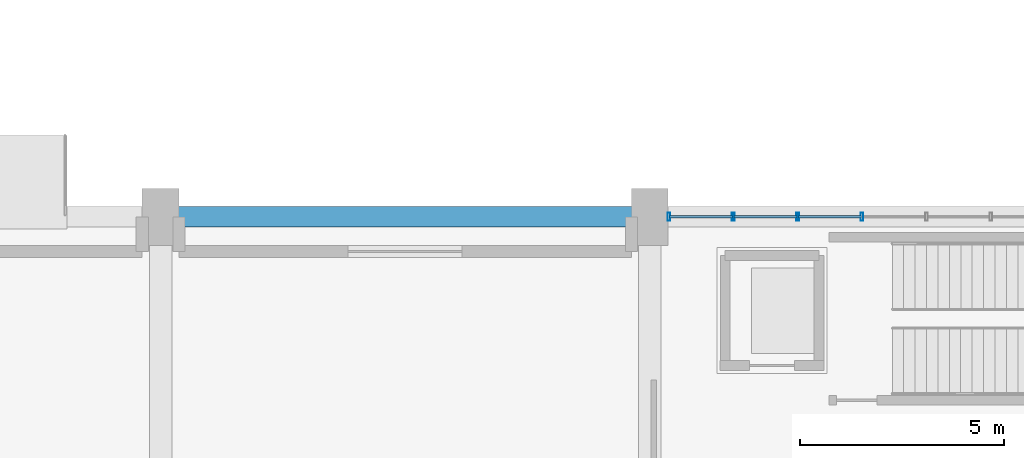
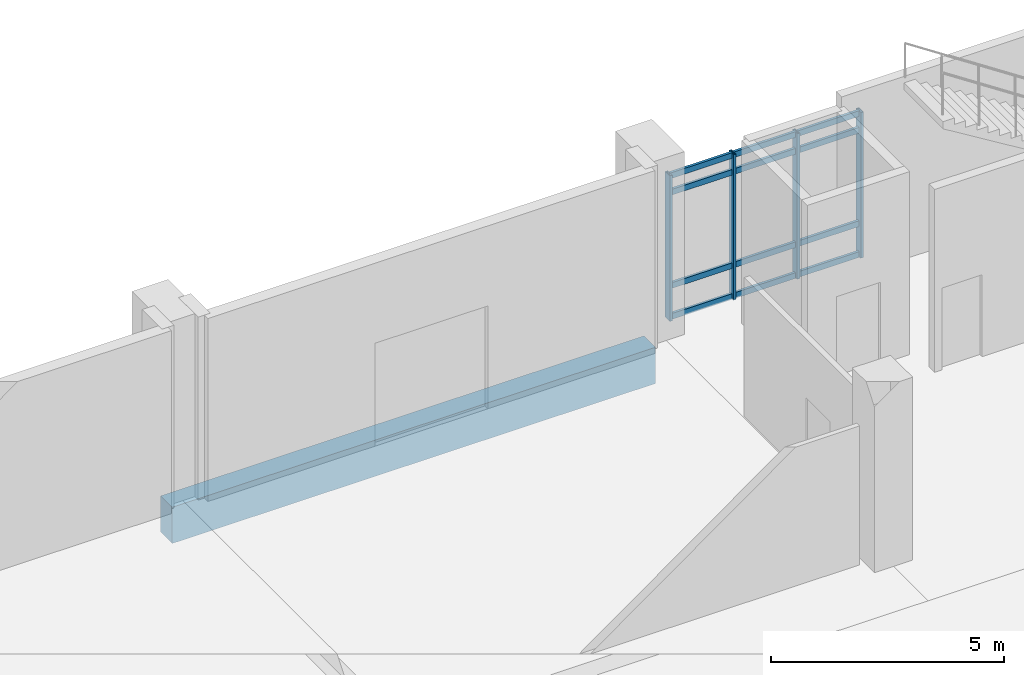
# One storey, part 27 of 87: 16 members, 1 beam, 1 element without a shape of its own.
"""IFC4 building model written with IfcOpenShell, lengths in metres."""

from ifc_helpers import new_model, si_unit, direction, frame, origin, origin_2d, place, context, subcontext, project, spatial, rectangle, hollow_rectangle, extrude, material, layer, layer_set, material_profile, profile_set, type_object, element, aggregate, save


model = new_model("IFC4")

# Units and contexts
model_context = context("Model", 3, precision=1e-05, world=origin(), true_north=direction((0.0, 1.0)))
body_context = subcontext(model_context, "Body", "Model", "MODEL_VIEW")
ifc_project = project(units=[si_unit("LENGTHUNIT", "METRE"), si_unit("AREAUNIT", "SQUARE_METRE"), si_unit("VOLUMEUNIT", "CUBIC_METRE"), si_unit("PLANEANGLEUNIT", "RADIAN"), si_unit("MASSUNIT", "GRAM", prefix="KILO")], contexts=[model_context])

# Site, building, storey
site_placement = place(None, origin())
site = spatial("IfcSite", under=ifc_project, at=site_placement, CompositionType="ELEMENT")
building_placement = place(site_placement, origin())
building = spatial("IfcBuilding", under=site, at=building_placement, Name="Mersad Railyard Sports Hall", CompositionType="ELEMENT")
storey_placement = place(building_placement, origin())
storey = spatial("IfcBuildingStorey", under=building, at=storey_placement, Name="L00", CompositionType="ELEMENT", Elevation=0.0)

# Curtain wall, members
ifc_material_1 = material(Name="Aluminium 6063-T6", Category="aluminium")
ifc_layer = layer(ifc_material_1, 0.199951171875)
ifc_layer_set = layer_set([ifc_layer], Name="Aluminium 6063-T6")
curtain_wall_type = type_object("IfcCurtainWallType", Name="ARC-CW-CW01", PredefinedType="USERDEFINED", material=ifc_layer_set)
curtain_wall_placement = place(storey_placement, origin())
curtain_wall = element("IfcCurtainWall", 1, at=curtain_wall_placement, inside=storey, type_object=curtain_wall_type, Name="Curtain wall CW01-0021", ObjectType="CURTAIN WALL", PredefinedType="USERDEFINED")
ifc_material_profile_1 = material_profile(ifc_material_1, hollow_rectangle(XDim=0.06494140625, YDim=0.199951171875, WallThickness=0.0048828125, at=origin_2d()), Name="AL MULLION 65x200x5")
ifc_profile_set_1 = profile_set([ifc_material_profile_1], Name="Aluminium 6063-T6")
member_type_1 = type_object("IfcMemberType", Name="ARC-CW-MUL02", PredefinedType="MULLION", material=ifc_profile_set_1)
member_1_placement = place(storey_placement, frame((79.469970703125, 53.5, -0.02001953125), z_axis=(0.0, 0.0, 1.0), x_axis=(1.0, 0.0, 0.0)))
member_1 = element("IfcMember", 2, at=member_1_placement, type_object=member_type_1, Name="CW01 Mullion 1", PredefinedType="MULLION", context=body_context, shape_type="SweptSolid", body=[
    extrude(hollow_rectangle(XDim=0.06494140625, YDim=0.199951171875, WallThickness=0.0048828125, at=origin_2d()), origin(), (0.0, 0.0, 1.0), 3.820068359375),
])
member_2_placement = place(storey_placement, frame((81.050048828125, 53.5, -0.02001953125), z_axis=(0.0, 0.0, 1.0), x_axis=(1.0, 0.0, 0.0)))
member_2 = element("IfcMember", 3, at=member_2_placement, type_object=member_type_1, Name="CW01 Mullion 2", PredefinedType="MULLION", context=body_context, shape_type="SweptSolid", body=[
    extrude(hollow_rectangle(XDim=0.06494140625, YDim=0.199951171875, WallThickness=0.0048828125, at=origin_2d()), origin(), (0.0, 0.0, 1.0), 3.820068359375),
])
member_3_placement = place(storey_placement, frame((82.6298828125, 53.5, -0.02001953125), z_axis=(0.0, 0.0, 1.0), x_axis=(1.0, 0.0, 0.0)))
member_3 = element("IfcMember", 4, at=member_3_placement, type_object=member_type_1, Name="CW01 Mullion 3", PredefinedType="MULLION", context=body_context, shape_type="SweptSolid", body=[
    extrude(hollow_rectangle(XDim=0.06494140625, YDim=0.199951171875, WallThickness=0.0048828125, at=origin_2d()), origin(), (0.0, 0.0, 1.0), 3.820068359375),
])
member_4_placement = place(storey_placement, frame((84.2099609375, 53.5, -0.02001953125), z_axis=(0.0, 0.0, 1.0), x_axis=(1.0, 0.0, 0.0)))
member_4 = element("IfcMember", 5, at=member_4_placement, type_object=member_type_1, Name="CW01 Mullion 4", PredefinedType="MULLION", context=body_context, shape_type="SweptSolid", body=[
    extrude(hollow_rectangle(XDim=0.06494140625, YDim=0.199951171875, WallThickness=0.0048828125, at=origin_2d()), origin(), (0.0, 0.0, 1.0), 3.820068359375),
])
ifc_material_profile_2 = material_profile(ifc_material_1, hollow_rectangle(XDim=0.06494140625, YDim=0.14990234375, WallThickness=0.00439453125, at=origin_2d()), Name="AL TRANSOM 65x150x4.5")
ifc_profile_set_2 = profile_set([ifc_material_profile_2], Name="Aluminium 6063-T6")
member_type_2 = type_object("IfcMemberType", Name="ARC-CW-TRN02", PredefinedType="USERDEFINED", material=ifc_profile_set_2)
member_5_placement = place(storey_placement, frame((79.489990234375, 53.5, 0.0400390625), z_axis=(1.0, 0.0, 0.0), x_axis=(0.0, 1.0, 0.0)))
member_5 = element("IfcMember", 6, at=member_5_placement, type_object=member_type_2, Name="CW01 Transom 1-1", ObjectType="TRANSOM", PredefinedType="USERDEFINED", context=body_context, shape_type="SweptSolid", body=[
    extrude(hollow_rectangle(XDim=0.06494140625, YDim=0.14990234375, WallThickness=0.00439453125, at=origin_2d()), origin(), (0.0, 0.0, 1.0), 1.5400390625),
])
member_6_placement = place(storey_placement, frame((81.070068359375, 53.5, 0.0400390625), z_axis=(1.0, 0.0, 0.0), x_axis=(0.0, 1.0, 0.0)))
member_6 = element("IfcMember", 7, at=member_6_placement, type_object=member_type_2, Name="CW01 Transom 1-2", ObjectType="TRANSOM", PredefinedType="USERDEFINED", context=body_context, shape_type="SweptSolid", body=[
    extrude(hollow_rectangle(XDim=0.06494140625, YDim=0.14990234375, WallThickness=0.00439453125, at=origin_2d()), origin(), (0.0, 0.0, 1.0), 1.5400390625),
])
member_7_placement = place(storey_placement, frame((82.64990234375, 53.5, 0.0400390625), z_axis=(1.0, 0.0, 0.0), x_axis=(0.0, 1.0, 0.0)))
member_7 = element("IfcMember", 8, at=member_7_placement, type_object=member_type_2, Name="CW01 Transom 1-3", ObjectType="TRANSOM", PredefinedType="USERDEFINED", context=body_context, shape_type="SweptSolid", body=[
    extrude(hollow_rectangle(XDim=0.06494140625, YDim=0.14990234375, WallThickness=0.00439453125, at=origin_2d()), origin(), (0.0, 0.0, 1.0), 1.5400390625),
])
member_8_placement = place(storey_placement, frame((79.489990234375, 53.5, 0.85009765625), z_axis=(1.0, 0.0, 0.0), x_axis=(0.0, 1.0, 0.0)))
member_8 = element("IfcMember", 9, at=member_8_placement, type_object=member_type_2, Name="CW01 Transom 2-1", ObjectType="TRANSOM", PredefinedType="USERDEFINED", context=body_context, shape_type="SweptSolid", body=[
    extrude(hollow_rectangle(XDim=0.06494140625, YDim=0.14990234375, WallThickness=0.00439453125, at=origin_2d()), origin(), (0.0, 0.0, 1.0), 1.5400390625),
])
member_9_placement = place(storey_placement, frame((81.070068359375, 53.5, 0.85009765625), z_axis=(1.0, 0.0, 0.0), x_axis=(0.0, 1.0, 0.0)))
member_9 = element("IfcMember", 10, at=member_9_placement, type_object=member_type_2, Name="CW01 Transom 2-2", ObjectType="TRANSOM", PredefinedType="USERDEFINED", context=body_context, shape_type="SweptSolid", body=[
    extrude(hollow_rectangle(XDim=0.06494140625, YDim=0.14990234375, WallThickness=0.00439453125, at=origin_2d()), origin(), (0.0, 0.0, 1.0), 1.5400390625),
])
member_10_placement = place(storey_placement, frame((82.64990234375, 53.5, 0.85009765625), z_axis=(1.0, 0.0, 0.0), x_axis=(0.0, 1.0, 0.0)))
member_10 = element("IfcMember", 11, at=member_10_placement, type_object=member_type_2, Name="CW01 Transom 2-3", ObjectType="TRANSOM", PredefinedType="USERDEFINED", context=body_context, shape_type="SweptSolid", body=[
    extrude(hollow_rectangle(XDim=0.06494140625, YDim=0.14990234375, WallThickness=0.00439453125, at=origin_2d()), origin(), (0.0, 0.0, 1.0), 1.5400390625),
])
member_11_placement = place(storey_placement, frame((79.489990234375, 53.5, 3.300048828125), z_axis=(1.0, 0.0, 0.0), x_axis=(0.0, 1.0, 0.0)))
member_11 = element("IfcMember", 12, at=member_11_placement, type_object=member_type_2, Name="CW01 Transom 3-1", ObjectType="TRANSOM", PredefinedType="USERDEFINED", context=body_context, shape_type="SweptSolid", body=[
    extrude(hollow_rectangle(XDim=0.06494140625, YDim=0.14990234375, WallThickness=0.00439453125, at=origin_2d()), origin(), (0.0, 0.0, 1.0), 1.5400390625),
])
member_12_placement = place(storey_placement, frame((81.070068359375, 53.5, 3.300048828125), z_axis=(1.0, 0.0, 0.0), x_axis=(0.0, 1.0, 0.0)))
member_12 = element("IfcMember", 13, at=member_12_placement, type_object=member_type_2, Name="CW01 Transom 3-2", ObjectType="TRANSOM", PredefinedType="USERDEFINED", context=body_context, shape_type="SweptSolid", body=[
    extrude(hollow_rectangle(XDim=0.06494140625, YDim=0.14990234375, WallThickness=0.00439453125, at=origin_2d()), origin(), (0.0, 0.0, 1.0), 1.5400390625),
])
member_13_placement = place(storey_placement, frame((82.64990234375, 53.5, 3.300048828125), z_axis=(1.0, 0.0, 0.0), x_axis=(0.0, 1.0, 0.0)))
member_13 = element("IfcMember", 14, at=member_13_placement, type_object=member_type_2, Name="CW01 Transom 3-3", ObjectType="TRANSOM", PredefinedType="USERDEFINED", context=body_context, shape_type="SweptSolid", body=[
    extrude(hollow_rectangle(XDim=0.06494140625, YDim=0.14990234375, WallThickness=0.00439453125, at=origin_2d()), origin(), (0.0, 0.0, 1.0), 1.5400390625),
])
member_14_placement = place(storey_placement, frame((79.489990234375, 53.5, 3.739990234375), z_axis=(1.0, 0.0, 0.0), x_axis=(0.0, 1.0, 0.0)))
member_14 = element("IfcMember", 15, at=member_14_placement, type_object=member_type_2, Name="CW01 Transom 4-1", ObjectType="TRANSOM", PredefinedType="USERDEFINED", context=body_context, shape_type="SweptSolid", body=[
    extrude(hollow_rectangle(XDim=0.06494140625, YDim=0.14990234375, WallThickness=0.00439453125, at=origin_2d()), origin(), (0.0, 0.0, 1.0), 1.5400390625),
])
member_15_placement = place(storey_placement, frame((81.070068359375, 53.5, 3.739990234375), z_axis=(1.0, 0.0, 0.0), x_axis=(0.0, 1.0, 0.0)))
member_15 = element("IfcMember", 16, at=member_15_placement, type_object=member_type_2, Name="CW01 Transom 4-2", ObjectType="TRANSOM", PredefinedType="USERDEFINED", context=body_context, shape_type="SweptSolid", body=[
    extrude(hollow_rectangle(XDim=0.06494140625, YDim=0.14990234375, WallThickness=0.00439453125, at=origin_2d()), origin(), (0.0, 0.0, 1.0), 1.5400390625),
])
member_16_placement = place(storey_placement, frame((82.64990234375, 53.5, 3.739990234375), z_axis=(1.0, 0.0, 0.0), x_axis=(0.0, 1.0, 0.0)))
member_16 = element("IfcMember", 17, at=member_16_placement, type_object=member_type_2, Name="CW01 Transom 4-3", ObjectType="TRANSOM", PredefinedType="USERDEFINED", context=body_context, shape_type="SweptSolid", body=[
    extrude(hollow_rectangle(XDim=0.06494140625, YDim=0.14990234375, WallThickness=0.00439453125, at=origin_2d()), origin(), (0.0, 0.0, 1.0), 1.5400390625),
])
aggregate(curtain_wall, [member_1, member_2, member_3, member_4, member_5, member_6, member_7, member_8, member_9, member_10, member_11, member_12, member_13, member_14, member_15, member_16])

# Beam
ifc_material_2 = material(Name="Concrete C50/60", Category="concrete")
ifc_material_profile_3 = material_profile(ifc_material_2, rectangle(XDim=0.5, YDim=0.949951171875, at=origin_2d()), Name="RC 500x950")
ifc_profile_set_3 = profile_set([ifc_material_profile_3], Name="Concrete C50/60")
beam_type = type_object("IfcBeamType", Name="STR-BM-B03", PredefinedType="BEAM", material=ifc_profile_set_3)
beam_placement = place(storey_placement, frame((67.0, 53.5, -0.925048828125), z_axis=(1.0, 0.0, 0.0), x_axis=(0.0, 1.0, 0.0)))
element("IfcBeam", 18, at=beam_placement, inside=storey, type_object=beam_type, Name="Beam B03-0027", PredefinedType="BEAM", context=body_context, shape_type="SweptSolid", body=[
    extrude(rectangle(XDim=0.5, YDim=0.949951171875, at=origin_2d()), origin(), (0.0, 0.0, 1.0), 12.0),
])

save(model, "model.ifc")
